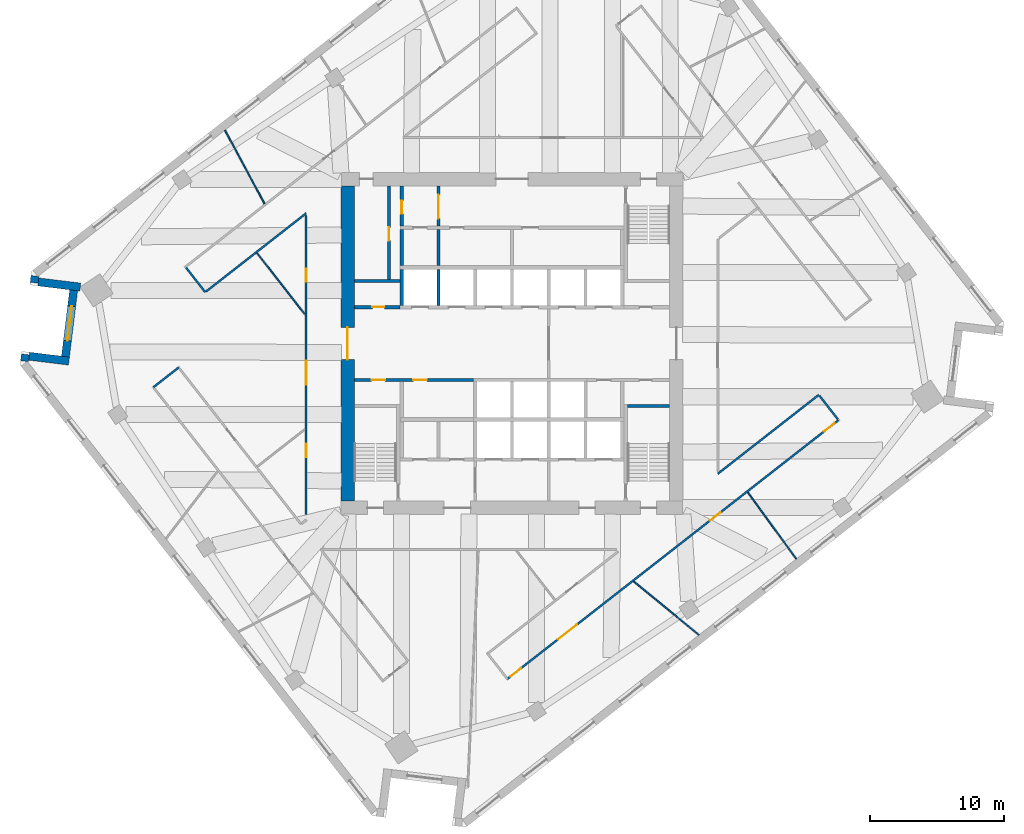
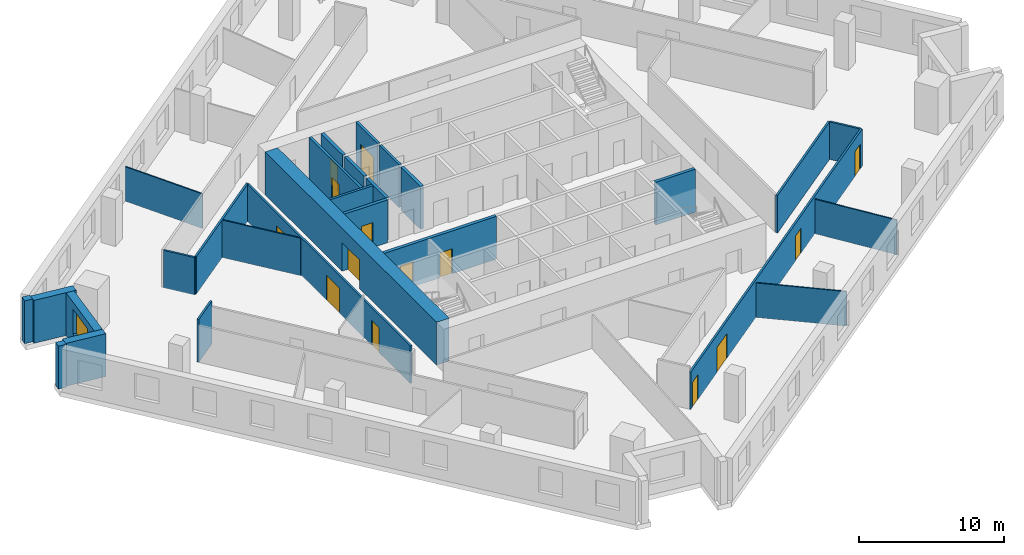
# One storey, part 6 of 11: 28 walls, 14 doors, 1 window, 15 openings.
"""IFC4 building model written with IfcOpenShell, lengths in metres."""

from ifc_helpers import new_model, si_unit, direction, frame, frame_2d, origin, place, context, subcontext, project, spatial, rectangle, extrude, material, layer, layer_set, type_object, element, fill, save


model = new_model("IFC4")

# Units and contexts
model_context = context("Model", 3, precision=1e-05, world=origin(), true_north=direction((0.0, 1.0)))
body_context = subcontext(model_context, "Body", "Model", "MODEL_VIEW")
ifc_project = project(units=[si_unit("LENGTHUNIT", "METRE"), si_unit("AREAUNIT", "SQUARE_METRE"), si_unit("VOLUMEUNIT", "CUBIC_METRE"), si_unit("PLANEANGLEUNIT", "RADIAN"), si_unit("MASSUNIT", "GRAM", prefix="KILO")], contexts=[model_context])

# Site, building, storey
site_placement = place(None, origin())
site = spatial("IfcSite", under=ifc_project, at=site_placement, CompositionType="ELEMENT")
building_placement = place(site_placement, origin())
building = spatial("IfcBuilding", under=site, at=building_placement, Name="Dilmun Exchange Tower", CompositionType="ELEMENT")
storey_placement = place(building_placement, frame((0.0, 0.0, 179.699951171875)))
storey = spatial("IfcBuildingStorey", under=building, at=storey_placement, Name="L42", CompositionType="ELEMENT", Elevation=179.699951171875)

# Wall
ifc_material_1 = material(Name="Concrete C40/50", Category="concrete")
ifc_layer_1 = layer(ifc_material_1, 0.199951171875)
ifc_layer_set_1 = layer_set([ifc_layer_1], Name="Concrete C40/50")
wall_type_1 = type_object("IfcWallType", Name="Core partition wall 200", PredefinedType="PARTITIONING", material=ifc_layer_set_1)
wall_1_placement = place(storey_placement, frame((-11.794921875, 4.675048828125, 0.0), z_axis=(0.0, 0.0, 1.0), x_axis=(1.0, 0.0, 0.0)))
element("IfcWall", 1, at=wall_1_placement, inside=storey, type_object=wall_type_1, Name="L42 core partition wall 14", PredefinedType="PARTITIONING", context=body_context, shape_type="SweptSolid", body=[
    extrude(rectangle(XDim=3.4150390625, YDim=0.199951171875, at=frame_2d((1.70751953125, 0.0))), origin(), (0.0, 0.0, 1.0), 3.60009765625),
])

# Wall, opening, door
wall_2_placement = place(storey_placement, frame((-9.199951171875, 4.780029296875, 0.0), z_axis=(0.0, 0.0, 1.0), x_axis=(0.0, 1.0, 0.0)))
wall_2 = element("IfcWall", 2, at=wall_2_placement, inside=storey, type_object=wall_type_1, Name="L42 core partition wall 15", PredefinedType="PARTITIONING", context=body_context, shape_type="SweptSolid", body=[
    extrude(rectangle(XDim=7.014892578125, YDim=0.199951171875, at=frame_2d((3.50732421875, 0.0))), origin(), (0.0, 0.0, 1.0), 3.60009765625),
])
opening_1_placement = place(wall_2_placement, frame((2.919921875, 0.0, 0.0)))
opening_1 = element("IfcOpeningElement", 3, at=opening_1_placement, cuts=wall_2, Name="Opening CD4", PredefinedType="OPENING", context=body_context, shape_type="SweptSolid", body=[
    extrude(rectangle(XDim=1.0, YDim=2.10009765625, at=frame_2d((0.5, 1.050048828125))), frame((0.0, 0.10986328125, 0.0), z_axis=(0.0, -1.0, 0.0), x_axis=(1.0, 0.0, 0.0)), (0.0, 0.0, 1.0), 0.219970703125),
])
ifc_material_2 = material(Name="Fire-rated steel door set", Category="steel")
door_type_1 = type_object("IfcDoorType", Name="Core room door 1000x2100", OperationType="SINGLE_SWING_LEFT", PredefinedType="DOOR", material=ifc_material_2)
door_1_placement = place(opening_1_placement, origin())
door_1 = element("IfcDoor", 4, at=door_1_placement, inside=storey, type_object=door_type_1, Name="L42 door Fire safety store", OperationType="SINGLE_SWING_LEFT", OverallHeight=2.10009765625, OverallWidth=1.0, PredefinedType="DOOR", context=body_context, shape_type="SweptSolid", body=[
    extrude(rectangle(XDim=1.0, YDim=2.10009765625, at=frame_2d((0.5, 1.050048828125))), frame((0.0, 0.02490234375, 0.0), z_axis=(0.0, -1.0, 0.0), x_axis=(1.0, 0.0, 0.0)), (0.0, 0.0, 1.0), 0.050048828125),
])
fill(opening_1, door_1)

# Wall
wall_3_placement = place(storey_placement, frame((-5.5, 5.85498046875, 0.0), z_axis=(0.0, 0.0, 1.0), x_axis=(0.0, 1.0, 0.0)))
element("IfcWall", 5, at=wall_3_placement, inside=storey, type_object=wall_type_1, Name="L42 core partition wall 17", PredefinedType="PARTITIONING", context=body_context, shape_type="SweptSolid", body=[
    extrude(rectangle(XDim=2.68994140625, YDim=0.199951171875, at=frame_2d((1.344970703125, 0.0))), origin(), (0.0, 0.0, 1.0), 3.60009765625),
])

# Wall, opening, door
wall_4_placement = place(storey_placement, frame((-5.5, 8.804931640625, 0.0), z_axis=(0.0, 0.0, 1.0), x_axis=(0.0, 1.0, 0.0)))
wall_4 = element("IfcWall", 6, at=wall_4_placement, inside=storey, type_object=wall_type_1, Name="L42 core partition wall 22", PredefinedType="PARTITIONING", context=body_context, shape_type="SweptSolid", body=[
    extrude(rectangle(XDim=2.989990234375, YDim=0.199951171875, at=frame_2d((1.4951171875, 0.0))), origin(), (0.0, 0.0, 1.0), 3.60009765625),
])
opening_2_placement = place(wall_4_placement, frame((0.532470703125, 0.0, 0.0)))
opening_2 = element("IfcOpeningElement", 7, at=opening_2_placement, cuts=wall_4, Name="Opening CD5", PredefinedType="OPENING", context=body_context, shape_type="SweptSolid", body=[
    extrude(rectangle(XDim=1.800048828125, YDim=2.10009765625, at=frame_2d((0.89990234375, 1.050048828125))), frame((0.0, 0.10986328125, 0.0), z_axis=(0.0, -1.0, 0.0), x_axis=(1.0, 0.0, 0.0)), (0.0, 0.0, 1.0), 0.219970703125),
])
door_type_2 = type_object("IfcDoorType", Name="Stair exit door 1800x2100", OperationType="SINGLE_SWING_LEFT", PredefinedType="DOOR", material=ifc_material_2)
door_2_placement = place(opening_2_placement, origin())
door_2 = element("IfcDoor", 8, at=door_2_placement, inside=storey, type_object=door_type_2, Name="L42 door Core corridor east", OperationType="SINGLE_SWING_LEFT", OverallHeight=2.10009765625, OverallWidth=1.800048828125, PredefinedType="DOOR", context=body_context, shape_type="SweptSolid", body=[
    extrude(rectangle(XDim=1.800048828125, YDim=2.10009765625, at=frame_2d((0.89990234375, 1.050048828125))), frame((0.0, 0.02490234375, 0.0), z_axis=(0.0, -1.0, 0.0), x_axis=(1.0, 0.0, 0.0)), (0.0, 0.0, 1.0), 0.050048828125),
])
fill(opening_2, door_2)

# Wall, openings, doors
ifc_layer_2 = layer(ifc_material_1, 0.25)
ifc_layer_set_2 = layer_set([ifc_layer_2], Name="Concrete C40/50")
wall_type_2 = type_object("IfcWallType", Name="Core partition wall 250", PredefinedType="PARTITIONING", material=ifc_layer_set_2)
wall_5_placement = place(storey_placement, frame((-11.794921875, -2.72509765625, 0.0), z_axis=(0.0, 0.0, 1.0), x_axis=(1.0, 0.0, 0.0)))
wall_5 = element("IfcWall", 9, at=wall_5_placement, inside=storey, type_object=wall_type_2, Name="L42 core partition wall 09", PredefinedType="PARTITIONING", context=body_context, shape_type="SweptSolid", body=[
    extrude(rectangle(XDim=8.9150390625, YDim=0.25, at=frame_2d((4.45751953125, 0.0))), origin(), (0.0, 0.0, 1.0), 3.60009765625),
])
opening_3_placement = place(wall_5_placement, frame((1.294921875, 0.0, 0.0)))
opening_3 = element("IfcOpeningElement", 10, at=opening_3_placement, cuts=wall_5, Name="Opening CD4", PredefinedType="OPENING", context=body_context, shape_type="SweptSolid", body=[
    extrude(rectangle(XDim=1.0, YDim=2.10009765625, at=frame_2d((0.5, 1.050048828125))), frame((0.0, 0.135009765625, 0.0), z_axis=(0.0, -1.0, 0.0), x_axis=(1.0, 0.0, 0.0)), (0.0, 0.0, 1.0), 0.27001953125),
])
opening_4_placement = place(wall_5_placement, frame((4.419921875, 0.0, 0.0)))
opening_4 = element("IfcOpeningElement", 11, at=opening_4_placement, cuts=wall_5, Name="Opening CD4", PredefinedType="OPENING", context=body_context, shape_type="SweptSolid", body=[
    extrude(rectangle(XDim=1.0, YDim=2.10009765625, at=frame_2d((0.5, 1.050048828125))), frame((0.0, 0.135009765625, 0.0), z_axis=(0.0, -1.0, 0.0), x_axis=(1.0, 0.0, 0.0)), (0.0, 0.0, 1.0), 0.27001953125),
])
door_3_placement = place(opening_3_placement, origin())
door_3 = element("IfcDoor", 12, at=door_3_placement, inside=storey, type_object=door_type_1, Name="L42 door Accessible WC", OperationType="SINGLE_SWING_LEFT", OverallHeight=2.10009765625, OverallWidth=1.0, PredefinedType="DOOR", context=body_context, shape_type="SweptSolid", body=[
    extrude(rectangle(XDim=1.0, YDim=2.10009765625, at=frame_2d((0.5, 1.050048828125))), frame((0.0, 0.02490234375, 0.0), z_axis=(0.0, -1.0, 0.0), x_axis=(1.0, 0.0, 0.0)), (0.0, 0.0, 1.0), 0.050048828125),
])
fill(opening_3, door_3)
door_4_placement = place(opening_4_placement, origin())
door_4 = element("IfcDoor", 13, at=door_4_placement, inside=storey, type_object=door_type_1, Name="L42 door Mechanical room", OperationType="SINGLE_SWING_LEFT", OverallHeight=2.10009765625, OverallWidth=1.0, PredefinedType="DOOR", context=body_context, shape_type="SweptSolid", body=[
    extrude(rectangle(XDim=1.0, YDim=2.10009765625, at=frame_2d((0.5, 1.050048828125))), frame((0.0, 0.02490234375, 0.0), z_axis=(0.0, -1.0, 0.0), x_axis=(1.0, 0.0, 0.0)), (0.0, 0.0, 1.0), 0.050048828125),
])
fill(opening_4, door_4)

# Wall, opening, door
wall_6_placement = place(storey_placement, frame((-11.794921875, 2.72509765625, 0.0), z_axis=(0.0, 0.0, 1.0), x_axis=(1.0, 0.0, 0.0)))
wall_6 = element("IfcWall", 14, at=wall_6_placement, inside=storey, type_object=wall_type_2, Name="L42 core partition wall 12", PredefinedType="PARTITIONING", context=body_context, shape_type="SweptSolid", body=[
    extrude(rectangle(XDim=3.4150390625, YDim=0.25, at=frame_2d((1.70751953125, 0.0))), origin(), (0.0, 0.0, 1.0), 3.60009765625),
])
opening_5_placement = place(wall_6_placement, frame((1.344970703125, 0.0, 0.0)))
opening_5 = element("IfcOpeningElement", 15, at=opening_5_placement, cuts=wall_6, Name="Opening CD6", PredefinedType="OPENING", context=body_context, shape_type="SweptSolid", body=[
    extrude(rectangle(XDim=0.89990234375, YDim=2.10009765625, at=frame_2d((0.449951171875, 1.050048828125))), frame((0.0, 0.135009765625, 0.0), z_axis=(0.0, -1.0, 0.0), x_axis=(1.0, 0.0, 0.0)), (0.0, 0.0, 1.0), 0.27001953125),
])
door_type_3 = type_object("IfcDoorType", Name="Core room door 900x2100", OperationType="SINGLE_SWING_LEFT", PredefinedType="DOOR", material=ifc_material_2)
door_5_placement = place(opening_5_placement, origin())
door_5 = element("IfcDoor", 16, at=door_5_placement, inside=storey, type_object=door_type_3, Name="L42 door Plumbing riser", OperationType="SINGLE_SWING_LEFT", OverallHeight=2.10009765625, OverallWidth=0.89990234375, PredefinedType="DOOR", context=body_context, shape_type="SweptSolid", body=[
    extrude(rectangle(XDim=0.89990234375, YDim=2.10009765625, at=frame_2d((0.449951171875, 1.050048828125))), frame((0.0, 0.02490234375, 0.0), z_axis=(0.0, -1.0, 0.0), x_axis=(1.0, 0.0, 0.0)), (0.0, 0.0, 1.0), 0.050048828125),
])
fill(opening_5, door_5)

# Wall
wall_7_placement = place(storey_placement, frame((-8.25, 5.85498046875, 0.0), z_axis=(0.0, 0.0, 1.0), x_axis=(0.0, 1.0, 0.0)))
element("IfcWall", 17, at=wall_7_placement, inside=storey, type_object=wall_type_2, Name="L42 core partition wall 16", PredefinedType="PARTITIONING", context=body_context, shape_type="SweptSolid", body=[
    extrude(rectangle(XDim=2.68994140625, YDim=0.25, at=frame_2d((1.344970703125, 0.0))), origin(), (0.0, 0.0, 1.0), 3.60009765625),
])

# Wall, opening, door
wall_8_placement = place(storey_placement, frame((-8.25, 8.804931640625, 0.0), z_axis=(0.0, 0.0, 1.0), x_axis=(0.0, 1.0, 0.0)))
wall_8 = element("IfcWall", 18, at=wall_8_placement, inside=storey, type_object=wall_type_2, Name="L42 core partition wall 21", PredefinedType="PARTITIONING", context=body_context, shape_type="SweptSolid", body=[
    extrude(rectangle(XDim=2.989990234375, YDim=0.25, at=frame_2d((1.4951171875, 0.0))), origin(), (0.0, 0.0, 1.0), 3.60009765625),
])
opening_6_placement = place(wall_8_placement, frame((0.89501953125, 0.0, 0.0)))
opening_6 = element("IfcOpeningElement", 19, at=opening_6_placement, cuts=wall_8, Name="Opening CD4", PredefinedType="OPENING", context=body_context, shape_type="SweptSolid", body=[
    extrude(rectangle(XDim=1.0, YDim=2.10009765625, at=frame_2d((0.5, 1.050048828125))), frame((0.0, 0.135009765625, 0.0), z_axis=(0.0, -1.0, 0.0), x_axis=(1.0, 0.0, 0.0)), (0.0, 0.0, 1.0), 0.27001953125),
])
door_6_placement = place(opening_6_placement, origin())
door_6 = element("IfcDoor", 20, at=door_6_placement, inside=storey, type_object=door_type_1, Name="L42 door Tenant services room", OperationType="SINGLE_SWING_LEFT", OverallHeight=2.10009765625, OverallWidth=1.0, PredefinedType="DOOR", context=body_context, shape_type="SweptSolid", body=[
    extrude(rectangle(XDim=1.0, YDim=2.10009765625, at=frame_2d((0.5, 1.050048828125))), frame((0.0, 0.02490234375, 0.0), z_axis=(0.0, -1.0, 0.0), x_axis=(1.0, 0.0, 0.0)), (0.0, 0.0, 1.0), 0.050048828125),
])
fill(opening_6, door_6)

ifc_material_3 = material(Name="Concrete C70/85", Category="concrete")
ifc_layer_3 = layer(ifc_material_3, 1.0)
ifc_layer_set_3 = layer_set([ifc_layer_3], Name="Concrete C70/85")
wall_type_3 = type_object("IfcWallType", Name="Core shear wall 1000 Concrete C70/85", PredefinedType="SHEAR", material=ifc_layer_set_3)
wall_9_placement = place(storey_placement, frame((-12.300048828125, -11.800048828125, 0.0), z_axis=(0.0, 0.0, 1.0), x_axis=(0.0, 1.0, 0.0)))
wall_9 = element("IfcWall", 21, at=wall_9_placement, inside=storey, type_object=wall_type_3, Name="L42 core shear wall W", PredefinedType="SHEAR", context=body_context, shape_type="SweptSolid", body=[
    extrude(rectangle(XDim=23.60009765625, YDim=1.0, at=frame_2d((11.800048828125, 0.0))), origin(), (0.0, 0.0, 1.0), 3.60009765625),
])
opening_7_placement = place(wall_9_placement, frame((10.60009765625, 0.0, 0.0)))
opening_7 = element("IfcOpeningElement", 22, at=opening_7_placement, cuts=wall_9, Name="Opening CD1", PredefinedType="OPENING", context=body_context, shape_type="SweptSolid", body=[
    extrude(rectangle(XDim=2.39990234375, YDim=2.39990234375, at=frame_2d((1.199951171875, 1.199951171875))), frame((0.0, 0.510009765625, 0.0), z_axis=(0.0, -1.0, 0.0), x_axis=(1.0, 0.0, 0.0)), (0.0, 0.0, 1.0), 1.02001953125),
])
door_type_4 = type_object("IfcDoorType", Name="Core lobby door 2400x2400", OperationType="DOUBLE_DOOR_DOUBLE_SWING", PredefinedType="DOOR", material=ifc_material_2)
door_7_placement = place(opening_7_placement, origin())
door_7 = element("IfcDoor", 23, at=door_7_placement, inside=storey, type_object=door_type_4, Name="L42 door Central lift lobby", OperationType="SINGLE_SWING_LEFT", OverallHeight=2.39990234375, OverallWidth=2.39990234375, PredefinedType="DOOR", context=body_context, shape_type="SweptSolid", body=[
    extrude(rectangle(XDim=2.39990234375, YDim=2.39990234375, at=frame_2d((1.199951171875, 1.199951171875))), frame((0.0, 0.02490234375, 0.0), z_axis=(0.0, -1.0, 0.0), x_axis=(1.0, 0.0, 0.0)), (0.0, 0.0, 1.0), 0.050048828125),
])
fill(opening_7, door_7)

# Walls
ifc_material_4 = material(Name="Corridor wall 150")
ifc_layer_4 = layer(ifc_material_4, 0.14990234375)
ifc_layer_set_4 = layer_set([ifc_layer_4], Name="Corridor wall 150")
wall_type_4 = type_object("IfcWallType", Name="Corridor wall 150", PredefinedType="PARTITIONING", material=ifc_layer_set_4)
wall_10_placement = place(storey_placement, frame((-26.8349609375, -3.27197265625, 0.0), z_axis=(0.0, 0.0, 1.0), x_axis=(0.788062937667, 0.615594676938, 0.0)))
element("IfcWall", 24, at=wall_10_placement, inside=storey, type_object=wall_type_4, Name="Corridor wall", PredefinedType="PARTITIONING", context=body_context, shape_type="SweptSolid", body=[
    extrude(rectangle(XDim=2.3994140625, YDim=0.14990234375, at=frame_2d((1.19970703125, 0.0))), origin(), (0.0, 0.0, 1.0), 3.60009765625),
])
wall_11_placement = place(storey_placement, frame((-24.38671875, 5.6748046875, 0.0), z_axis=(0.0, 0.0, 1.0), x_axis=(0.615328150299, -0.788271062167, 0.0)))
element("IfcWall", 25, at=wall_11_placement, inside=storey, type_object=wall_type_4, Name="Corridor wall", PredefinedType="PARTITIONING", context=body_context, shape_type="SweptSolid", body=[
    extrude(rectangle(XDim=2.324951171875, YDim=0.14990234375, at=frame_2d((1.16259765625, 0.0))), origin(), (0.0, 0.0, 1.0), 3.150146484375),
])
wall_12_placement = place(storey_placement, frame((-22.89697265625, 3.88818359375, 0.0), z_axis=(0.0, 0.0, 1.0), x_axis=(0.787982356531, 0.615697820197, 0.0)))
element("IfcWall", 26, at=wall_12_placement, inside=storey, type_object=wall_type_4, Name="Corridor wall", PredefinedType="PARTITIONING", context=body_context, shape_type="SweptSolid", body=[
    extrude(rectangle(XDim=9.51416015625, YDim=0.14990234375, at=frame_2d((4.757080078125, 0.0))), origin(), (0.0, 0.0, 1.0), 3.150146484375),
])

# Wall, openings, doors
wall_13_placement = place(storey_placement, frame((-15.39990234375, -12.800048828125, 0.0), z_axis=(0.0, 0.0, 1.0), x_axis=(0.0, 1.0, 0.0)))
wall_13 = element("IfcWall", 27, at=wall_13_placement, inside=storey, type_object=wall_type_4, Name="Corridor wall", PredefinedType="PARTITIONING", context=body_context, shape_type="SweptSolid", body=[
    extrude(rectangle(XDim=22.392333984375, YDim=0.14990234375, at=frame_2d((11.1962890625, 0.0))), origin(), (0.0, 0.0, 1.0), 3.150146484375),
])
opening_8_placement = place(wall_13_placement, frame((9.72119140625, 0.0, 0.0)))
opening_8 = element("IfcOpeningElement", 28, at=opening_8_placement, cuts=wall_13, Name="Opening TF41-D01", PredefinedType="OPENING", context=body_context, shape_type="SweptSolid", body=[
    extrude(rectangle(XDim=1.800048828125, YDim=2.10009765625, at=frame_2d((0.89990234375, 1.050048828125))), frame((0.0, 0.0849609375, 0.0), z_axis=(0.0, -1.0, 0.0), x_axis=(1.0, 0.0, 0.0)), (0.0, 0.0, 1.0), 0.169921875),
])
opening_9_placement = place(wall_13_placement, frame((4.300048828125, 0.0, 0.0)))
opening_9 = element("IfcOpeningElement", 29, at=opening_9_placement, cuts=wall_13, Name="Opening TF41-D04", PredefinedType="OPENING", context=body_context, shape_type="SweptSolid", body=[
    extrude(rectangle(XDim=1.0, YDim=2.10009765625, at=frame_2d((0.5, 1.050048828125))), frame((0.0, 0.0849609375, 0.0), z_axis=(0.0, -1.0, 0.0), x_axis=(1.0, 0.0, 0.0)), (0.0, 0.0, 1.0), 0.169921875),
])
opening_10_placement = place(wall_13_placement, frame((17.40771484375, 0.0, 0.0)))
opening_10 = element("IfcOpeningElement", 30, at=opening_10_placement, cuts=wall_13, Name="Opening TF41-D05", PredefinedType="OPENING", context=body_context, shape_type="SweptSolid", body=[
    extrude(rectangle(XDim=1.0, YDim=2.10009765625, at=frame_2d((0.5, 1.050048828125))), frame((0.0, 0.0849609375, 0.0), z_axis=(0.0, -1.0, 0.0), x_axis=(1.0, 0.0, 0.0)), (0.0, 0.0, 1.0), 0.169921875),
])
ifc_material_5 = material(Name="Fire door 1000 x 2100")
door_type_5 = type_object("IfcDoorType", Name="Fire door 1000 x 2100", OperationType="NOTDEFINED", PredefinedType="DOOR", material=ifc_material_5)
door_8_placement = place(opening_9_placement, origin())
door_8 = element("IfcDoor", 31, at=door_8_placement, inside=storey, type_object=door_type_5, Name="Door TF41-D04", OperationType="SINGLE_SWING_RIGHT", OverallHeight=2.10009765625, OverallWidth=1.0, PredefinedType="DOOR", context=body_context, shape_type="SweptSolid", body=[
    extrude(rectangle(XDim=1.0, YDim=2.10009765625, at=frame_2d((0.5, 1.050048828125))), frame((0.0, 0.02490234375, 0.0), z_axis=(0.0, -1.0, 0.0), x_axis=(1.0, 0.0, 0.0)), (0.0, 0.0, 1.0), 0.050048828125),
])
fill(opening_9, door_8)
door_9_placement = place(opening_10_placement, origin())
door_9 = element("IfcDoor", 32, at=door_9_placement, inside=storey, type_object=door_type_5, Name="Door TF41-D05", OperationType="SINGLE_SWING_LEFT", OverallHeight=2.10009765625, OverallWidth=1.0, PredefinedType="DOOR", context=body_context, shape_type="SweptSolid", body=[
    extrude(rectangle(XDim=1.0, YDim=2.10009765625, at=frame_2d((0.5, 1.050048828125))), frame((0.0, 0.02490234375, 0.0), z_axis=(0.0, -1.0, 0.0), x_axis=(1.0, 0.0, 0.0)), (0.0, 0.0, 1.0), 0.050048828125),
])
fill(opening_10, door_9)
ifc_material_6 = material(Name="Fire door pair 1800 x 2100")
door_type_6 = type_object("IfcDoorType", Name="Fire door pair 1800 x 2100", OperationType="NOTDEFINED", PredefinedType="DOOR", material=ifc_material_6)
door_10_placement = place(opening_8_placement, origin())
door_10 = element("IfcDoor", 33, at=door_10_placement, inside=storey, type_object=door_type_6, Name="Door TF41-D01", OperationType="DOUBLE_DOOR_SINGLE_SWING", OverallHeight=2.10009765625, OverallWidth=1.800048828125, PredefinedType="DOOR", context=body_context, shape_type="SweptSolid", body=[
    extrude(rectangle(XDim=1.800048828125, YDim=2.10009765625, at=frame_2d((0.89990234375, 1.050048828125))), frame((0.0, 0.02490234375, 0.0), z_axis=(0.0, -1.0, 0.0), x_axis=(1.0, 0.0, 0.0)), (0.0, 0.0, 1.0), 0.050048828125),
])
fill(opening_8, door_10)

wall_14_placement = place(storey_placement, frame((-0.347900390625, -25.094970703125, 0.0), z_axis=(0.0, 0.0, 1.0), x_axis=(0.788010131951, 0.615662271008, 0.0)))
wall_14 = element("IfcWall", 34, at=wall_14_placement, inside=storey, type_object=wall_type_4, Name="Corridor wall", PredefinedType="PARTITIONING", context=body_context, shape_type="SweptSolid", body=[
    extrude(rectangle(XDim=31.447509765625, YDim=0.14990234375, at=frame_2d((15.7236328125, 0.0))), origin(), (0.0, 0.0, 1.0), 3.150146484375),
])
opening_11_placement = place(wall_14_placement, frame((4.800537109375, 0.0, 0.0)))
opening_11 = element("IfcOpeningElement", 35, at=opening_11_placement, cuts=wall_14, Name="Opening TF41-D10", PredefinedType="OPENING", context=body_context, shape_type="SweptSolid", body=[
    extrude(rectangle(XDim=1.800048828125, YDim=2.10009765625, at=frame_2d((0.89990234375, 1.050048828125))), frame((0.0, 0.0849609375, 0.0), z_axis=(0.0, -1.0, 0.0), x_axis=(1.0, 0.0, 0.0)), (0.0, 0.0, 1.0), 0.169921875),
])
opening_12_placement = place(wall_14_placement, frame((0.300537109375, 0.0, 0.0)))
opening_12 = element("IfcOpeningElement", 36, at=opening_12_placement, cuts=wall_14, Name="Opening TF41-D11", PredefinedType="OPENING", context=body_context, shape_type="SweptSolid", body=[
    extrude(rectangle(XDim=1.0, YDim=2.10009765625, at=frame_2d((0.5, 1.050048828125))), frame((0.0, 0.0849609375, 0.0), z_axis=(0.0, -1.0, 0.0), x_axis=(1.0, 0.0, 0.0)), (0.0, 0.0, 1.0), 0.169921875),
])
opening_13_placement = place(wall_14_placement, frame((19.225830078125, 0.0, 0.0)))
opening_13 = element("IfcOpeningElement", 37, at=opening_13_placement, cuts=wall_14, Name="Opening TF41-D16", PredefinedType="OPENING", context=body_context, shape_type="SweptSolid", body=[
    extrude(rectangle(XDim=1.0, YDim=2.10009765625, at=frame_2d((0.5, 1.050048828125))), frame((0.0, 0.0849609375, 0.0), z_axis=(0.0, -1.0, 0.0), x_axis=(1.0, 0.0, 0.0)), (0.0, 0.0, 1.0), 0.169921875),
])
opening_14_placement = place(wall_14_placement, frame((30.072265625, 0.0, 0.0)))
opening_14 = element("IfcOpeningElement", 38, at=opening_14_placement, cuts=wall_14, Name="Opening TF41-D20", PredefinedType="OPENING", context=body_context, shape_type="SweptSolid", body=[
    extrude(rectangle(XDim=1.0, YDim=2.10009765625, at=frame_2d((0.5, 1.050048828125))), frame((0.0, 0.0849609375, 0.0), z_axis=(0.0, -1.0, 0.0), x_axis=(1.0, 0.0, 0.0)), (0.0, 0.0, 1.0), 0.169921875),
])
door_11_placement = place(opening_12_placement, frame((1.0, 0.0, 0.0), z_axis=(0.0, 0.0, 1.0), x_axis=(-1.0, 0.0, 0.0)))
door_11 = element("IfcDoor", 39, at=door_11_placement, inside=storey, type_object=door_type_5, Name="Door TF41-D11", OperationType="SINGLE_SWING_RIGHT", OverallHeight=2.10009765625, OverallWidth=1.0, PredefinedType="DOOR", context=body_context, shape_type="SweptSolid", body=[
    extrude(rectangle(XDim=1.0, YDim=2.10009765625, at=frame_2d((0.5, 1.050048828125))), frame((0.0, 0.02490234375, 0.0), z_axis=(0.0, -1.0, 0.0), x_axis=(1.0, 0.0, 0.0)), (0.0, 0.0, 1.0), 0.050048828125),
])
fill(opening_12, door_11)
door_12_placement = place(opening_13_placement, frame((1.0, 0.0, 0.0), z_axis=(0.0, 0.0, 1.0), x_axis=(-1.0, 0.0, 0.0)))
door_12 = element("IfcDoor", 40, at=door_12_placement, inside=storey, type_object=door_type_5, Name="Door TF41-D16", OperationType="SINGLE_SWING_RIGHT", OverallHeight=2.10009765625, OverallWidth=1.0, PredefinedType="DOOR", context=body_context, shape_type="SweptSolid", body=[
    extrude(rectangle(XDim=1.0, YDim=2.10009765625, at=frame_2d((0.5, 1.050048828125))), frame((0.0, 0.02490234375, 0.0), z_axis=(0.0, -1.0, 0.0), x_axis=(1.0, 0.0, 0.0)), (0.0, 0.0, 1.0), 0.050048828125),
])
fill(opening_13, door_12)
door_13_placement = place(opening_14_placement, frame((1.0, 0.0, 0.0), z_axis=(0.0, 0.0, 1.0), x_axis=(-1.0, 0.0, 0.0)))
door_13 = element("IfcDoor", 41, at=door_13_placement, inside=storey, type_object=door_type_5, Name="Door TF41-D20", OperationType="SINGLE_SWING_RIGHT", OverallHeight=2.10009765625, OverallWidth=1.0, PredefinedType="DOOR", context=body_context, shape_type="SweptSolid", body=[
    extrude(rectangle(XDim=1.0, YDim=2.10009765625, at=frame_2d((0.5, 1.050048828125))), frame((0.0, 0.02490234375, 0.0), z_axis=(0.0, -1.0, 0.0), x_axis=(1.0, 0.0, 0.0)), (0.0, 0.0, 1.0), 0.050048828125),
])
fill(opening_14, door_13)
door_14_placement = place(opening_11_placement, frame((1.800048828125, 0.0, 0.0), z_axis=(0.0, 0.0, 1.0), x_axis=(-1.0, 0.0, 0.0)))
door_14 = element("IfcDoor", 42, at=door_14_placement, inside=storey, type_object=door_type_6, Name="Door TF41-D10", OperationType="DOUBLE_DOOR_SINGLE_SWING", OverallHeight=2.10009765625, OverallWidth=1.800048828125, PredefinedType="DOOR", context=body_context, shape_type="SweptSolid", body=[
    extrude(rectangle(XDim=1.800048828125, YDim=2.10009765625, at=frame_2d((0.89990234375, 1.050048828125))), frame((0.0, 0.02490234375, 0.0), z_axis=(0.0, -1.0, 0.0), x_axis=(1.0, 0.0, 0.0)), (0.0, 0.0, 1.0), 0.050048828125),
])
fill(opening_11, door_14)

# Walls
wall_15_placement = place(storey_placement, frame((15.39990234375, -9.74609375, 0.0), z_axis=(0.0, 0.0, 1.0), x_axis=(0.787983457068, 0.615696411705, 0.0)))
element("IfcWall", 43, at=wall_15_placement, inside=storey, type_object=wall_type_4, Name="Corridor wall", PredefinedType="PARTITIONING", context=body_context, shape_type="SweptSolid", body=[
    extrude(rectangle(XDim=9.589111328125, YDim=0.14990234375, at=frame_2d((4.79443359375, 0.0))), origin(), (0.0, 0.0, 1.0), 3.150146484375),
])
wall_16_placement = place(storey_placement, frame((23.002197265625, -3.901123046875, 0.0), z_axis=(0.0, 0.0, 1.0), x_axis=(0.615321836597, -0.788275990632, 0.0)))
element("IfcWall", 44, at=wall_16_placement, inside=storey, type_object=wall_type_4, Name="Corridor wall", PredefinedType="PARTITIONING", context=body_context, shape_type="SweptSolid", body=[
    extrude(rectangle(XDim=2.25, YDim=0.14990234375, at=frame_2d((1.125, 0.0))), origin(), (0.0, 0.0, 1.0), 3.150146484375),
])
ifc_layer_5 = layer(ifc_material_1, 0.25)
ifc_layer_set_5 = layer_set([ifc_layer_5], Name="Concrete C40/50")
wall_type_5 = type_object("IfcWallType", Name="Lift shaft wall 250", PredefinedType="SOLIDWALL", material=ifc_layer_set_5)
for number, where, z_axis, x_axis, name in (
    (45, (-8.25, 2.85009765625, 0.0), (0.0, 0.0, 1.0), (0.0, 1.0, 0.0), "L42 lift shaft divider N10"),
    (46, (-5.5, 2.85009765625, 0.0), (0.0, 0.0, 1.0), (0.0, 1.0, 0.0), "L42 lift shaft divider N11"),
):
    element("IfcWall", number, at=place(storey_placement, frame(where, z_axis=z_axis, x_axis=x_axis)), inside=storey, type_object=wall_type_5, Name=name, PredefinedType="SOLIDWALL", context=body_context, shape_type="SweptSolid", body=[
        extrude(rectangle(XDim=2.699951171875, YDim=0.25, at=frame_2d((1.35009765625, 0.0))), origin(), (0.0, 0.0, 1.0), 3.60009765625),
    ])
ifc_material_7 = material(Name="Partition 100")
ifc_layer_6 = layer(ifc_material_7, 0.10009765625)
ifc_layer_set_6 = layer_set([ifc_layer_6], Name="Partition 100")
wall_type_6 = type_object("IfcWallType", Name="Partition 100", PredefinedType="PARTITIONING", material=ifc_layer_set_6)
wall_17_placement = place(storey_placement, frame((-21.478271484375, 15.95751953125, 0.0), z_axis=(0.0, 0.0, 1.0), x_axis=(0.474316685511, -0.880354293365, 0.0)))
element("IfcWall", 47, at=wall_17_placement, inside=storey, type_object=wall_type_6, Name="Partition", PredefinedType="PARTITIONING", context=body_context, shape_type="SweptSolid", body=[
    extrude(rectangle(XDim=6.2431640625, YDim=0.10009765625, at=frame_2d((3.12158203125, 0.0))), origin(), (0.0, 0.0, 1.0), 2.900146484375),
])
wall_18_placement = place(storey_placement, frame((-19.083740234375, 6.77294921875, 0.0), z_axis=(0.0, 0.0, 1.0), x_axis=(0.61565629967, -0.788014797245, 0.0)))
element("IfcWall", 48, at=wall_18_placement, inside=storey, type_object=wall_type_6, Name="Partition", PredefinedType="PARTITIONING", context=body_context, shape_type="SweptSolid", body=[
    extrude(rectangle(XDim=5.797607421875, YDim=0.10009765625, at=frame_2d((2.89892578125, 0.0))), origin(), (0.0, 0.0, 1.0), 3.150146484375),
])
wall_19_placement = place(storey_placement, frame((9.117919921875, -17.808837890625, 0.0), z_axis=(0.0, 0.0, 1.0), x_axis=(0.772739146609, -0.634723728324, 0.0)))
element("IfcWall", 49, at=wall_19_placement, inside=storey, type_object=wall_type_6, Name="Partition", PredefinedType="PARTITIONING", context=body_context, shape_type="SweptSolid", body=[
    extrude(rectangle(XDim=6.302734375, YDim=0.10009765625, at=frame_2d((3.1513671875, 0.0))), origin(), (0.0, 0.0, 1.0), 2.900146484375),
])
wall_20_placement = place(storey_placement, frame((17.643310546875, -11.135986328125, 0.0), z_axis=(0.0, 0.0, 1.0), x_axis=(0.588621430422, -0.808408814677, 0.0)))
element("IfcWall", 50, at=wall_20_placement, inside=storey, type_object=wall_type_6, Name="Partition", PredefinedType="PARTITIONING", context=body_context, shape_type="SweptSolid", body=[
    extrude(rectangle(XDim=6.163818359375, YDim=0.10009765625, at=frame_2d((3.08203125, 0.0))), origin(), (0.0, 0.0, 1.0), 2.900146484375),
])
ifc_material_8 = material(Name="Precast concrete C50/60", Category="concrete")
ifc_layer_7 = layer(ifc_material_8, 0.60009765625)
ifc_layer_set_7 = layer_set([ifc_layer_7], Name="Precast concrete C50/60")
wall_type_7 = type_object("IfcWallType", Name="Precast stone-clad wall 600", PredefinedType="STANDARD", material=ifc_layer_set_7)
wall_21_placement = place(storey_placement, frame((-35.695556640625, 5.053466796875, 0.0), z_axis=(0.0, 0.0, 1.0), x_axis=(-0.121800492671, -0.992554603024, 0.0)))
element("IfcWall", 51, at=wall_21_placement, inside=storey, type_object=wall_type_7, Name="Facade wall L42-04", PredefinedType="STANDARD", context=body_context, shape_type="SweptSolid", body=[
    extrude(rectangle(XDim=0.51123046875, YDim=0.60009765625, at=frame_2d((0.255615234375, 0.0))), origin(), (0.0, 0.0, 1.0), 3.60009765625),
])
wall_22_placement = place(storey_placement, frame((-35.44775390625, 4.60888671875, 0.0), z_axis=(0.0, 0.0, 1.0), x_axis=(0.992542310393, -0.12190062379, 0.0)))
element("IfcWall", 52, at=wall_22_placement, inside=storey, type_object=wall_type_7, Name="Facade wall L42-05", PredefinedType="STANDARD", context=body_context, shape_type="SweptSolid", body=[
    extrude(rectangle(XDim=3.16845703125, YDim=0.60009765625, at=frame_2d((1.584228515625, 0.0))), origin(), (0.0, 0.0, 1.0), 3.60009765625),
])

# Wall, opening, window
wall_23_placement = place(storey_placement, frame((-32.804443359375, 3.98193359375, 0.0), z_axis=(0.0, 0.0, 1.0), x_axis=(-0.121876954874, -0.992545217041, 0.0)))
wall_23 = element("IfcWall", 53, at=wall_23_placement, inside=storey, type_object=wall_type_7, Name="Facade wall L42-06", PredefinedType="STANDARD", context=body_context, shape_type="SweptSolid", body=[
    extrude(rectangle(XDim=5.0, YDim=0.60009765625, at=frame_2d((2.5, 0.0))), origin(), (0.0, 0.0, 1.0), 3.60009765625),
])
opening_15_placement = place(wall_23_placement, frame((1.199951171875, 0.0, 0.89990234375)))
opening_15 = element("IfcOpeningElement", 54, at=opening_15_placement, cuts=wall_23, Name="Opening W260-210", PredefinedType="OPENING", context=body_context, shape_type="SweptSolid", body=[
    extrude(rectangle(XDim=2.60009765625, YDim=2.10009765625, at=frame_2d((1.300048828125, 1.050048828125))), frame((0.0, 0.31005859375, 0.0), z_axis=(0.0, -1.0, 0.0), x_axis=(1.0, 0.0, 0.0)), (0.0, 0.0, 1.0), 0.6201171875),
])
ifc_material_9 = material(Name="Clear low-emissivity glass in aluminium frame", Category="aluminium")
window_type = type_object("IfcWindowType", Name="Punched window 2600 x 2100", PartitioningType="DOUBLE_PANEL_VERTICAL", PredefinedType="WINDOW", material=ifc_material_9)
window_placement = place(opening_15_placement, origin())
window = element("IfcWindow", 55, at=window_placement, inside=storey, type_object=window_type, Name="Window 7.1", OverallHeight=2.10009765625, OverallWidth=2.60009765625, PartitioningType="SINGLE_PANEL", PredefinedType="WINDOW", context=body_context, shape_type="SweptSolid", body=[
    extrude(rectangle(XDim=2.60009765625, YDim=2.10009765625, at=frame_2d((1.300048828125, 1.050048828125))), frame((0.0, 0.030029296875, 0.0), z_axis=(0.0, -1.0, 0.0), x_axis=(1.0, 0.0, 0.0)), (0.0, 0.0, 1.0), 0.06005859375),
])
fill(opening_15, window)

# Walls
wall_24_placement = place(storey_placement, frame((-33.152587890625, -1.315185546875, 0.0), z_axis=(0.0, 0.0, 1.0), x_axis=(-0.992542246186, 0.121901146576, 0.0)))
element("IfcWall", 56, at=wall_24_placement, inside=storey, type_object=wall_type_7, Name="Facade wall L42-07", PredefinedType="STANDARD", context=body_context, shape_type="SweptSolid", body=[
    extrude(rectangle(XDim=3.000244140625, YDim=0.60009765625, at=frame_2d((1.5, 0.0))), origin(), (0.0, 0.0, 1.0), 3.60009765625),
])
wall_25_placement = place(storey_placement, frame((-36.416015625, -0.813720703125, 0.0), z_axis=(0.0, 0.0, 1.0), x_axis=(-0.121800492671, -0.992554603024, 0.0)))
element("IfcWall", 57, at=wall_25_placement, inside=storey, type_object=wall_type_7, Name="Facade wall L42-08", PredefinedType="STANDARD", context=body_context, shape_type="SweptSolid", body=[
    extrude(rectangle(XDim=0.51123046875, YDim=0.60009765625, at=frame_2d((0.255615234375, 0.0))), origin(), (0.0, 0.0, 1.0), 3.60009765625),
])
ifc_layer_8 = layer(ifc_material_1, 0.25)
ifc_layer_set_8 = layer_set([ifc_layer_8], Name="Concrete C40/50")
wall_type_8 = type_object("IfcWallType", Name="Stair end wall 250", PredefinedType="SOLIDWALL", material=ifc_layer_set_8)
wall_26_placement = place(storey_placement, frame((8.64990234375, -4.675048828125, 0.0), z_axis=(0.0, 0.0, 1.0), x_axis=(1.0, 0.0, 0.0)))
element("IfcWall", 58, at=wall_26_placement, inside=storey, type_object=wall_type_8, Name="L42 ST3 far wall", PredefinedType="SOLIDWALL", context=body_context, shape_type="SweptSolid", body=[
    extrude(rectangle(XDim=3.150146484375, YDim=0.25, at=frame_2d((1.5751953125, 0.0))), origin(), (0.0, 0.0, 1.0), 3.60009765625),
])

save(model, "model.ifc")
